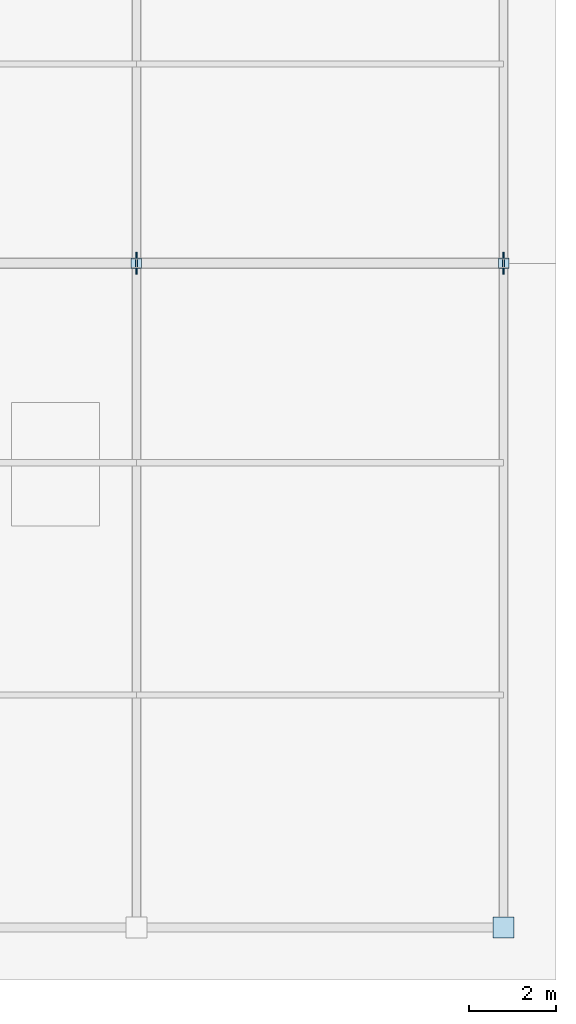
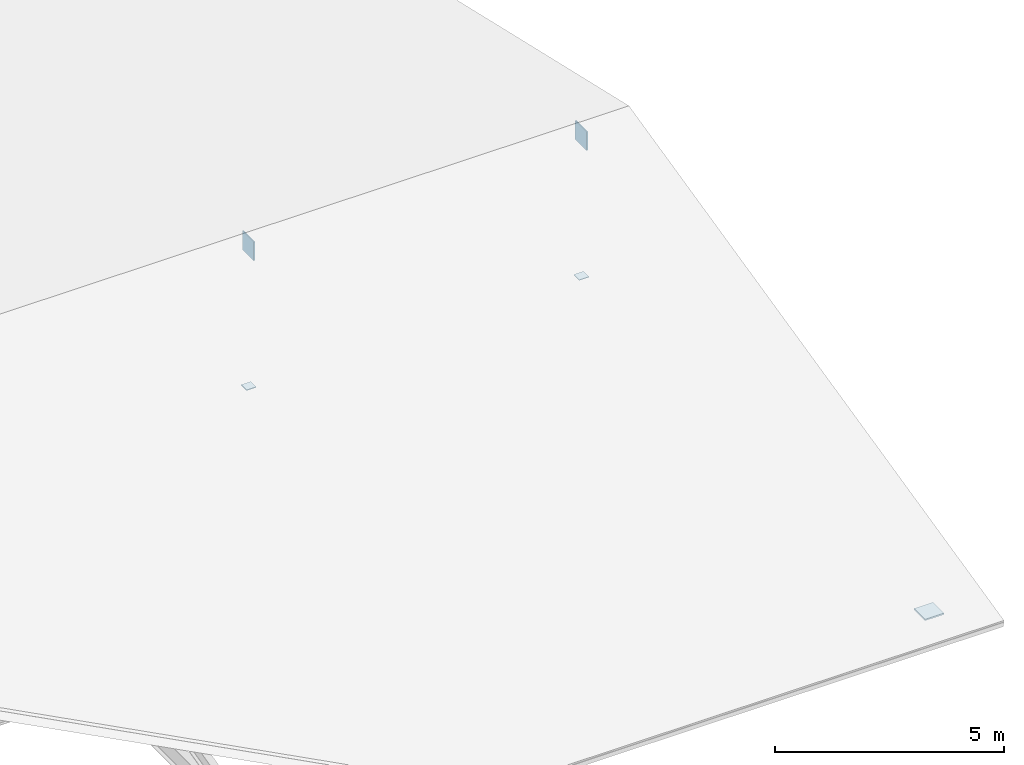
# One storey, part 7 of 8: 5 plates.
"""IFC4 building model written with IfcOpenShell, lengths in metres."""

from ifc_helpers import new_model, si_unit, direction, frame, origin, origin_2d, place, context, subcontext, project, spatial, rectangle, extrude, material, layer, layer_set, type_object, element, save


model = new_model("IFC4")

# Units and contexts
model_context = context("Model", 3, precision=1e-05, world=origin(), true_north=direction((0.0, 1.0)))
body_context = subcontext(model_context, "Body", "Model", "MODEL_VIEW")
ifc_project = project(units=[si_unit("LENGTHUNIT", "METRE"), si_unit("AREAUNIT", "SQUARE_METRE"), si_unit("VOLUMEUNIT", "CUBIC_METRE"), si_unit("PLANEANGLEUNIT", "RADIAN"), si_unit("MASSUNIT", "GRAM", prefix="KILO")], contexts=[model_context])

# Site, building, storey
site_placement = place(None, origin())
site = spatial("IfcSite", under=ifc_project, at=site_placement, CompositionType="ELEMENT")
building_placement = place(site_placement, origin())
building = spatial("IfcBuilding", under=site, at=building_placement, Name="Zuvorla Pavilion Media Centre", CompositionType="ELEMENT")
storey_placement = place(building_placement, frame((0.0, 0.0, 31.199951171875)))
storey = spatial("IfcBuildingStorey", under=building, at=storey_placement, Name="RF", CompositionType="ELEMENT", Elevation=31.199951171875)

# Plates
ifc_material = material(Name="Steel S355", Category="steel")
ifc_layer_1 = layer(ifc_material, 0.0380859375)
ifc_layer_set_1 = layer_set([ifc_layer_1], Name="Steel S355")
plate_type_1 = type_object("IfcPlateType", Name="PLT-BAS-38", PredefinedType="USERDEFINED", material=ifc_layer_set_1)
plate_placement = place(storey_placement, frame((108.800048828125, 6.0, -0.0390625), z_axis=(0.0, 0.0, 1.0), x_axis=(1.0, 0.0, 0.0)))
element("IfcPlate", 1, at=plate_placement, inside=storey, type_object=plate_type_1, Name="RF base plate BP38 161", ObjectType="BASE_PLATE", PredefinedType="USERDEFINED", context=body_context, shape_type="SweptSolid", body=[
    extrude(rectangle(XDim=0.47998046875, YDim=0.47998046875, at=origin_2d()), origin(), (0.0, 0.0, 1.0), 0.0380859375),
])
ifc_layer_2 = layer(ifc_material, 0.01611328125)
ifc_layer_set_2 = layer_set([ifc_layer_2], Name="Steel S355")
plate_type_2 = type_object("IfcPlateType", Name="PLT-CAP-16", PredefinedType="USERDEFINED", material=ifc_layer_set_2)
for number, where, z_axis, x_axis, name in (
    (2, (100.39990234375, 21.199951171875, -0.2880859375), (0.0, 0.0, 1.0), (1.0, 0.0, 0.0), "RF cap plate CP16 511"),
    (3, (108.800048828125, 21.199951171875, -0.2880859375), (0.0, 0.0, 1.0), (1.0, 0.0, 0.0), "RF cap plate CP16 512"),
):
    element("IfcPlate", number, at=place(storey_placement, frame(where, z_axis=z_axis, x_axis=x_axis)), inside=storey, type_object=plate_type_2, Name=name, ObjectType="CAP_PLATE", PredefinedType="USERDEFINED", context=body_context, shape_type="SweptSolid", body=[
        extrude(rectangle(XDim=0.239990234375, YDim=0.239990234375, at=origin_2d()), origin(), (0.0, 0.0, 1.0), 0.01611328125),
    ])
ifc_layer_3 = layer(ifc_material, 0.031982421875)
ifc_layer_set_3 = layer_set([ifc_layer_3], Name="Steel S355")
plate_type_3 = type_object("IfcPlateType", Name="PLT-GUS-32", PredefinedType="USERDEFINED", material=ifc_layer_set_3)
for number, where, z_axis, x_axis, name in (
    (4, (100.39990234375, 21.199951171875, 3.219970703125), (0.0, 0.0, 1.0), (1.0, 0.0, 0.0), "RF gusset plate GP32 160"),
    (5, (108.800048828125, 21.199951171875, 3.219970703125), (0.0, 0.0, 1.0), (1.0, 0.0, 0.0), "RF gusset plate GP32 162"),
):
    element("IfcPlate", number, at=place(storey_placement, frame(where, z_axis=z_axis, x_axis=x_axis)), inside=storey, type_object=plate_type_3, Name=name, ObjectType="GUSSET_PLATE", PredefinedType="USERDEFINED", context=body_context, shape_type="SweptSolid", body=[
        extrude(rectangle(XDim=0.031982421875, YDim=0.5, at=origin_2d()), origin(), (0.0, 0.0, 1.0), 0.5),
    ])

save(model, "model.ifc")
